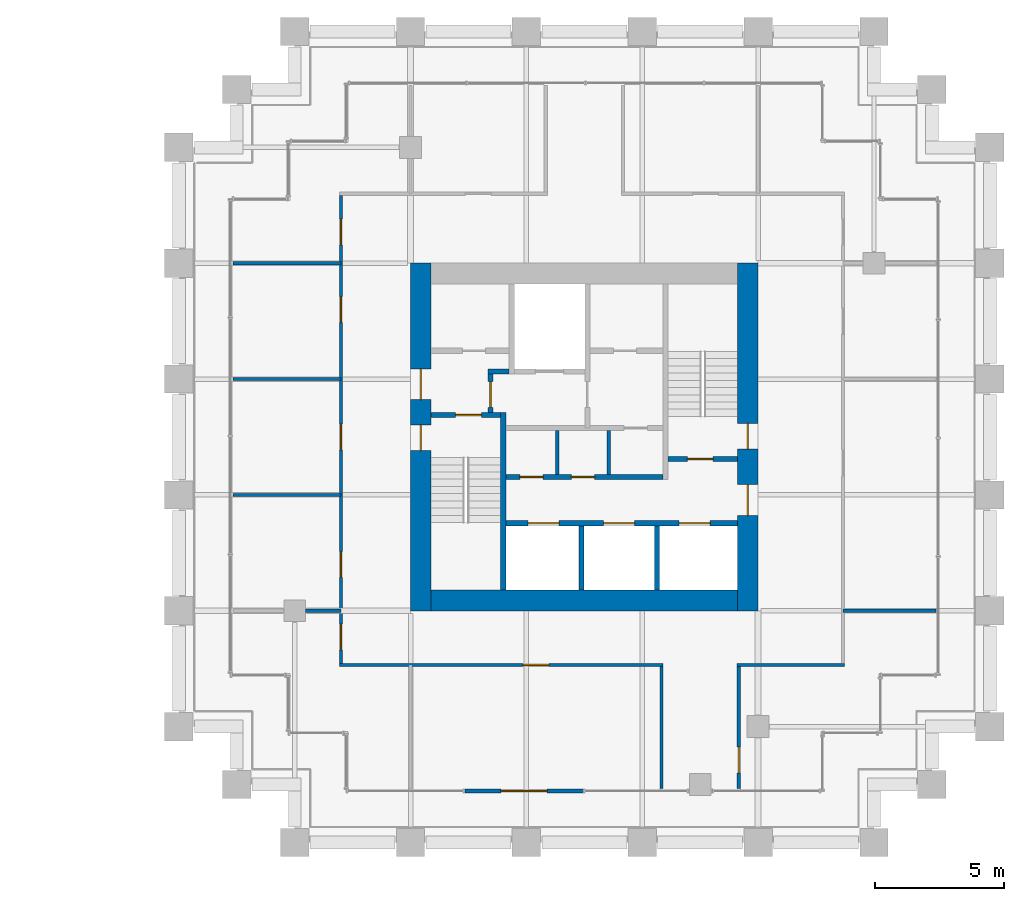
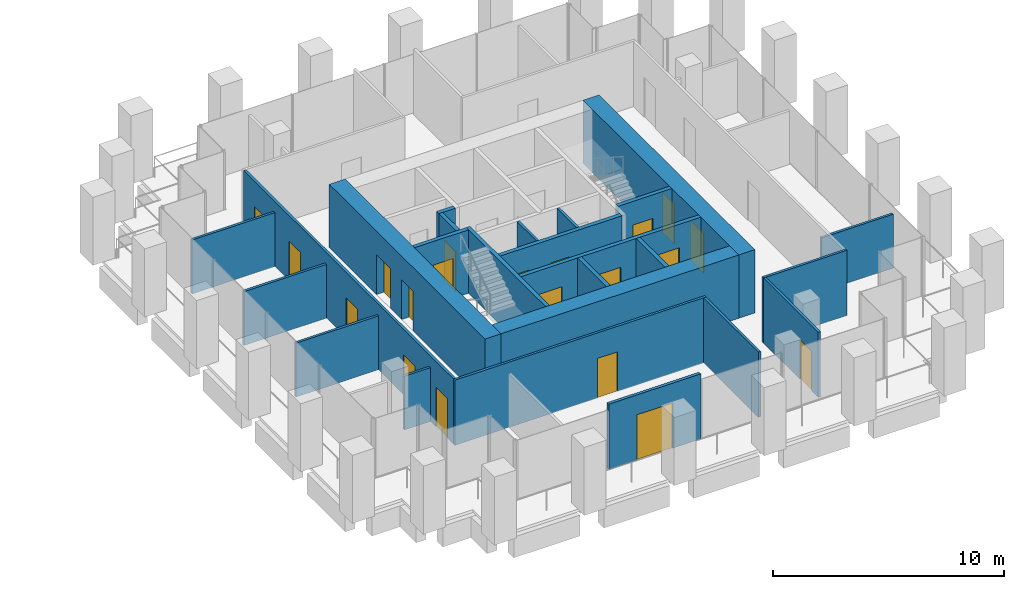
# One storey, part 51 of 55: 25 walls, 20 doors, 20 openings.
"""IFC4 building model written with IfcOpenShell, lengths in metres."""

from ifc_helpers import new_model, si_unit, direction, frame, frame_2d, origin, place, context, subcontext, project, spatial, rectangle, extrude, material, layer, layer_set, type_object, element, fill, save


model = new_model("IFC4")

# Units and contexts
model_context = context("Model", 3, precision=1e-05, world=origin(), true_north=direction((0.0, 1.0)))
body_context = subcontext(model_context, "Body", "Model", "MODEL_VIEW")
ifc_project = project(units=[si_unit("LENGTHUNIT", "METRE"), si_unit("AREAUNIT", "SQUARE_METRE"), si_unit("VOLUMEUNIT", "CUBIC_METRE"), si_unit("PLANEANGLEUNIT", "RADIAN"), si_unit("MASSUNIT", "GRAM", prefix="KILO")], contexts=[model_context])

# Site, building, storey
site_placement = place(None, origin())
site = spatial("IfcSite", under=ifc_project, at=site_placement, CompositionType="ELEMENT")
building_placement = place(site_placement, origin())
building = spatial("IfcBuilding", under=site, at=building_placement, Name="Altepetl Exchange Towers", CompositionType="ELEMENT")
storey_placement = place(building_placement, frame((0.0, 0.0, 47.39990234375)))
storey = spatial("IfcBuildingStorey", under=building, at=storey_placement, Name="L10", CompositionType="ELEMENT", Elevation=47.39990234375)

# Wall, openings, doors
ifc_material_1 = material(Name="Concrete C70/85", Category="concrete")
ifc_layer_1 = layer(ifc_material_1, 0.800048828125)
ifc_layer_set_1 = layer_set([ifc_layer_1], Name="Concrete C70/85")
wall_type_1 = type_object("IfcWallType", Name="Core wall 800 reinforced concrete", PredefinedType="SHEAR", material=ifc_layer_set_1)
wall_1_placement = place(storey_placement, frame((116.60009765625, 36.0, 0.0), z_axis=(0.0, 0.0, 1.0), x_axis=(0.0, 1.0, 0.0)))
wall_1 = element("IfcWall", 1, at=wall_1_placement, inside=storey, type_object=wall_type_1, Name="wall:B:L10:K-coreE", PredefinedType="SHEAR", context=body_context, shape_type="SweptSolid", body=[
    extrude(rectangle(XDim=13.5, YDim=0.800048828125, at=frame_2d((6.75, 0.0))), origin(), (0.0, 0.0, 1.0), 3.35009765625),
])
opening_1_placement = place(wall_1_placement, frame((3.699951171875, 0.0, 0.0)))
opening_1 = element("IfcOpeningElement", 2, at=opening_1_placement, cuts=wall_1, Name="Opening L10.B61", PredefinedType="OPENING", context=body_context, shape_type="SweptSolid", body=[
    extrude(rectangle(XDim=1.199951171875, YDim=2.10009765625, at=frame_2d((0.60009765625, 1.050048828125))), frame((0.0, 0.41015625, 0.0), z_axis=(0.0, -1.0, 0.0), x_axis=(1.0, 0.0, 0.0)), (0.0, 0.0, 1.0), 0.820068359375),
])
opening_2_placement = place(wall_1_placement, frame((6.27490234375, 0.0, 0.0)))
opening_2 = element("IfcOpeningElement", 3, at=opening_2_placement, cuts=wall_1, Name="Opening L10.B65", PredefinedType="OPENING", context=body_context, shape_type="SweptSolid", body=[
    extrude(rectangle(XDim=1.0, YDim=2.10009765625, at=frame_2d((0.5, 1.050048828125))), frame((0.0, 0.41015625, 0.0), z_axis=(0.0, -1.0, 0.0), x_axis=(1.0, 0.0, 0.0)), (0.0, 0.0, 1.0), 0.820068359375),
])
ifc_material_2 = material(Name="Steel and timber fire door", Category="steel")
door_type_1 = type_object("IfcDoorType", Name="Fire door 1000 x 2100 stair and lobby", OperationType="SINGLE_SWING_LEFT", PredefinedType="DOOR", material=ifc_material_2)
door_1_placement = place(opening_2_placement, origin())
door_1 = element("IfcDoor", 4, at=door_1_placement, inside=storey, type_object=door_type_1, Name="door:B:L10:K-dS2x", OperationType="SINGLE_SWING_LEFT", OverallHeight=2.10009765625, OverallWidth=1.0, PredefinedType="DOOR", context=body_context, shape_type="SweptSolid", body=[
    extrude(rectangle(XDim=1.0, YDim=2.10009765625, at=frame_2d((0.5, 1.050048828125))), frame((0.0, 0.02490234375, 0.0), z_axis=(0.0, -1.0, 0.0), x_axis=(1.0, 0.0, 0.0)), (0.0, 0.0, 1.0), 0.050048828125),
])
fill(opening_2, door_1)
door_type_2 = type_object("IfcDoorType", Name="Fire door 1200 x 2100 lobby entry", OperationType="SINGLE_SWING_LEFT", PredefinedType="DOOR", material=ifc_material_2)
door_2_placement = place(opening_1_placement, origin())
door_2 = element("IfcDoor", 5, at=door_2_placement, inside=storey, type_object=door_type_2, Name="door:B:L10:K-dLSE", OperationType="SINGLE_SWING_RIGHT", OverallHeight=2.10009765625, OverallWidth=1.199951171875, PredefinedType="DOOR", context=body_context, shape_type="SweptSolid", body=[
    extrude(rectangle(XDim=1.199951171875, YDim=2.10009765625, at=frame_2d((0.60009765625, 1.050048828125))), frame((0.0, 0.02490234375, 0.0), z_axis=(0.0, -1.0, 0.0), x_axis=(1.0, 0.0, 0.0)), (0.0, 0.0, 1.0), 0.050048828125),
])
fill(opening_1, door_2)

# Wall
wall_2_placement = place(storey_placement, frame((104.300048828125, 36.39990234375, 0.0)))
element("IfcWall", 6, at=wall_2_placement, inside=storey, type_object=wall_type_1, Name="wall:B:L10:K-coreS", PredefinedType="SHEAR", context=body_context, shape_type="SweptSolid", body=[
    extrude(rectangle(XDim=11.89990234375, YDim=0.800048828125, at=frame_2d((5.949951171875, 0.0))), origin(), (0.0, 0.0, 1.0), 3.35009765625),
])

# Wall, openings, doors
wall_3_placement = place(storey_placement, frame((103.89990234375, 36.0, 0.0), z_axis=(0.0, 0.0, 1.0), x_axis=(0.0, 1.0, 0.0)))
wall_3 = element("IfcWall", 7, at=wall_3_placement, inside=storey, type_object=wall_type_1, Name="wall:B:L10:K-coreW", PredefinedType="SHEAR", context=body_context, shape_type="SweptSolid", body=[
    extrude(rectangle(XDim=13.5, YDim=0.800048828125, at=frame_2d((6.75, 0.0))), origin(), (0.0, 0.0, 1.0), 3.35009765625),
])
opening_3_placement = place(wall_3_placement, frame((8.199951171875, 0.0, 0.0)))
opening_3 = element("IfcOpeningElement", 8, at=opening_3_placement, cuts=wall_3, Name="Opening L10.B60", PredefinedType="OPENING", context=body_context, shape_type="SweptSolid", body=[
    extrude(rectangle(XDim=1.199951171875, YDim=2.10009765625, at=frame_2d((0.60009765625, 1.050048828125))), frame((0.0, 0.41015625, 0.0), z_axis=(0.0, -1.0, 0.0), x_axis=(1.0, 0.0, 0.0)), (0.0, 0.0, 1.0), 0.820068359375),
])
opening_4_placement = place(wall_3_placement, frame((6.22509765625, 0.0, 0.0)))
opening_4 = element("IfcOpeningElement", 9, at=opening_4_placement, cuts=wall_3, Name="Opening L10.B63", PredefinedType="OPENING", context=body_context, shape_type="SweptSolid", body=[
    extrude(rectangle(XDim=1.0, YDim=2.10009765625, at=frame_2d((0.5, 1.050048828125))), frame((0.0, 0.41015625, 0.0), z_axis=(0.0, -1.0, 0.0), x_axis=(1.0, 0.0, 0.0)), (0.0, 0.0, 1.0), 0.820068359375),
])
door_3_placement = place(opening_4_placement, frame((1.0, 0.0, 0.0), x_axis=(-1.0, 0.0, 0.0)))
door_3 = element("IfcDoor", 10, at=door_3_placement, inside=storey, type_object=door_type_1, Name="door:B:L10:K-dS1x", OperationType="SINGLE_SWING_RIGHT", OverallHeight=2.10009765625, OverallWidth=1.0, PredefinedType="DOOR", context=body_context, shape_type="SweptSolid", body=[
    extrude(rectangle(XDim=1.0, YDim=2.10009765625, at=frame_2d((0.5, 1.050048828125))), frame((0.0, 0.02490234375, 0.0), z_axis=(0.0, -1.0, 0.0), x_axis=(1.0, 0.0, 0.0)), (0.0, 0.0, 1.0), 0.050048828125),
])
fill(opening_4, door_3)
door_4_placement = place(opening_3_placement, frame((1.199951171875, 0.0, 0.0), x_axis=(-1.0, 0.0, 0.0)))
door_4 = element("IfcDoor", 11, at=door_4_placement, inside=storey, type_object=door_type_2, Name="door:B:L10:K-dLNW", OperationType="SINGLE_SWING_RIGHT", OverallHeight=2.10009765625, OverallWidth=1.199951171875, PredefinedType="DOOR", context=body_context, shape_type="SweptSolid", body=[
    extrude(rectangle(XDim=1.199951171875, YDim=2.10009765625, at=frame_2d((0.60009765625, 1.050048828125))), frame((0.0, 0.02490234375, 0.0), z_axis=(0.0, -1.0, 0.0), x_axis=(1.0, 0.0, 0.0)), (0.0, 0.0, 1.0), 0.050048828125),
])
fill(opening_3, door_4)

# Wall, opening, door
ifc_material_3 = material(Name="Aluminium composite cladding", Category="aluminium")
ifc_layer_2 = layer(ifc_material_3, 0.14990234375)
ifc_layer_set_2 = layer_set([ifc_layer_2], Name="Aluminium composite cladding")
wall_type_2 = type_object("IfcWallType", Name="Infill wall 150 aluminium panel", PredefinedType="SOLIDWALL", material=ifc_layer_set_2)
wall_4_placement = place(storey_placement, frame((105.606201171875, 29.0, 0.0)))
wall_4 = element("IfcWall", 12, at=wall_4_placement, inside=storey, type_object=wall_type_2, Name="Loggia door bay wall", PredefinedType="SOLIDWALL", context=body_context, shape_type="SweptSolid", body=[
    extrude(rectangle(XDim=4.606201171875, YDim=0.14990234375, at=frame_2d((2.30322265625, 0.0))), origin(), (0.0, 0.0, 1.0), 3.4501953125),
])
opening_5_placement = place(wall_4_placement, frame((1.403076171875, 0.0, 0.0)))
opening_5 = element("IfcOpeningElement", 13, at=opening_5_placement, cuts=wall_4, Name="Opening L10.B90", PredefinedType="OPENING", context=body_context, shape_type="SweptSolid", body=[
    extrude(rectangle(XDim=1.800048828125, YDim=2.39990234375, at=frame_2d((0.89990234375, 1.199951171875))), frame((0.0, 0.0849609375, 0.0), z_axis=(0.0, -1.0, 0.0), x_axis=(1.0, 0.0, 0.0)), (0.0, 0.0, 1.0), 0.169921875),
])
ifc_material_4 = material(Name="Aluminium 6063-T6 and glass", Category="aluminium")
door_type_3 = type_object("IfcDoorType", Name="Glazed door pair 1800x2400", OperationType="DOUBLE_DOOR_DOUBLE_SWING", PredefinedType="NOTDEFINED", material=ifc_material_4)
door_5_placement = place(opening_5_placement, frame((1.800048828125, 0.0, 0.0), x_axis=(-1.0, 0.0, 0.0)))
door_5 = element("IfcDoor", 14, at=door_5_placement, inside=storey, type_object=door_type_3, Name="Loggia door", OperationType="DOUBLE_DOOR_DOUBLE_SWING", OverallHeight=2.39990234375, OverallWidth=1.800048828125, PredefinedType="NOTDEFINED", context=body_context, shape_type="SweptSolid", body=[
    extrude(rectangle(XDim=1.800048828125, YDim=2.39990234375, at=frame_2d((0.89990234375, 1.199951171875))), frame((0.0, 0.02490234375, 0.0), z_axis=(0.0, -1.0, 0.0), x_axis=(1.0, 0.0, 0.0)), (0.0, 0.0, 1.0), 0.050048828125),
])
fill(opening_5, door_5)

# Wall
ifc_material_5 = material(Name="Concrete blockwork", Category="masonry")
ifc_layer_3 = layer(ifc_material_5, 0.199951171875)
ifc_layer_set_3 = layer_set([ifc_layer_3], Name="Concrete blockwork")
wall_type_3 = type_object("IfcWallType", Name="Lobby wall 200 blockwork", PredefinedType="PARTITIONING", material=ifc_layer_set_3)
wall_5_placement = place(storey_placement, frame((106.5, 45.300048828125, 0.0)))
element("IfcWall", 15, at=wall_5_placement, inside=storey, type_object=wall_type_3, Name="wall:B:L10:K-ffNw", PredefinedType="PARTITIONING", context=body_context, shape_type="SweptSolid", body=[
    extrude(rectangle(XDim=0.833251953125, YDim=0.199951171875, at=frame_2d((0.41650390625, 0.0))), origin(), (0.0, 0.0, 1.0), 3.35009765625),
])

# Wall, opening, door
wall_6_placement = place(storey_placement, frame((106.60009765625, 43.699951171875, 0.0), z_axis=(0.0, 0.0, 1.0), x_axis=(0.0, 1.0, 0.0)))
wall_6 = element("IfcWall", 16, at=wall_6_placement, inside=storey, type_object=wall_type_3, Name="wall:B:L10:K-ffW", PredefinedType="PARTITIONING", context=body_context, shape_type="SweptSolid", body=[
    extrude(rectangle(XDim=1.5, YDim=0.199951171875, at=frame_2d((0.75, 0.0))), origin(), (0.0, 0.0, 1.0), 3.35009765625),
])
opening_6_placement = place(wall_6_placement, frame((0.199951171875, 0.0, 0.0)))
opening_6 = element("IfcOpeningElement", 17, at=opening_6_placement, cuts=wall_6, Name="Opening L10.B67", PredefinedType="OPENING", context=body_context, shape_type="SweptSolid", body=[
    extrude(rectangle(XDim=1.0, YDim=2.10009765625, at=frame_2d((0.5, 1.050048828125))), frame((0.0, 0.10986328125, 0.0), z_axis=(0.0, -1.0, 0.0), x_axis=(1.0, 0.0, 0.0)), (0.0, 0.0, 1.0), 0.219970703125),
])
door_6_placement = place(opening_6_placement, frame((1.0, 0.0, 0.0), x_axis=(-1.0, 0.0, 0.0)))
door_6 = element("IfcDoor", 18, at=door_6_placement, inside=storey, type_object=door_type_1, Name="door:B:L10:K-dffW", OperationType="SINGLE_SWING_LEFT", OverallHeight=2.10009765625, OverallWidth=1.0, PredefinedType="DOOR", context=body_context, shape_type="SweptSolid", body=[
    extrude(rectangle(XDim=1.0, YDim=2.10009765625, at=frame_2d((0.5, 1.050048828125))), frame((0.0, 0.02490234375, 0.0), z_axis=(0.0, -1.0, 0.0), x_axis=(1.0, 0.0, 0.0)), (0.0, 0.0, 1.0), 0.050048828125),
])
fill(opening_6, door_6)

# Wall, openings, doors
wall_7_placement = place(storey_placement, frame((107.199951171875, 41.199951171875, 0.0)))
wall_7 = element("IfcWall", 19, at=wall_7_placement, inside=storey, type_object=wall_type_3, Name="wall:B:L10:K-zoneS", PredefinedType="PARTITIONING", context=body_context, shape_type="SweptSolid", body=[
    extrude(rectangle(XDim=6.10009765625, YDim=0.199951171875, at=frame_2d((3.050048828125, 0.0))), origin(), (0.0, 0.0, 1.0), 3.35009765625),
])
opening_7_placement = place(wall_7_placement, frame((0.550048828125, 0.0, 0.0)))
opening_7 = element("IfcOpeningElement", 20, at=opening_7_placement, cuts=wall_7, Name="Opening L10.B70", PredefinedType="OPENING", context=body_context, shape_type="SweptSolid", body=[
    extrude(rectangle(XDim=0.89990234375, YDim=2.10009765625, at=frame_2d((0.449951171875, 1.050048828125))), frame((0.0, 0.10986328125, 0.0), z_axis=(0.0, -1.0, 0.0), x_axis=(1.0, 0.0, 0.0)), (0.0, 0.0, 1.0), 0.219970703125),
])
opening_8_placement = place(wall_7_placement, frame((2.550048828125, 0.0, 0.0)))
opening_8 = element("IfcOpeningElement", 21, at=opening_8_placement, cuts=wall_7, Name="Opening L10.B71", PredefinedType="OPENING", context=body_context, shape_type="SweptSolid", body=[
    extrude(rectangle(XDim=0.89990234375, YDim=2.10009765625, at=frame_2d((0.449951171875, 1.050048828125))), frame((0.0, 0.10986328125, 0.0), z_axis=(0.0, -1.0, 0.0), x_axis=(1.0, 0.0, 0.0)), (0.0, 0.0, 1.0), 0.219970703125),
])
door_type_4 = type_object("IfcDoorType", Name="Fire door 900 x 2100 service room", OperationType="SINGLE_SWING_LEFT", PredefinedType="DOOR", material=ifc_material_2)
door_7_placement = place(opening_7_placement, origin())
door_7 = element("IfcDoor", 22, at=door_7_placement, inside=storey, type_object=door_type_4, Name="door:B:L10:K-dz1", OperationType="SINGLE_SWING_RIGHT", OverallHeight=2.10009765625, OverallWidth=0.89990234375, PredefinedType="DOOR", context=body_context, shape_type="SweptSolid", body=[
    extrude(rectangle(XDim=0.89990234375, YDim=2.10009765625, at=frame_2d((0.449951171875, 1.050048828125))), frame((0.0, 0.02490234375, 0.0), z_axis=(0.0, -1.0, 0.0), x_axis=(1.0, 0.0, 0.0)), (0.0, 0.0, 1.0), 0.050048828125),
])
fill(opening_7, door_7)
door_8_placement = place(opening_8_placement, origin())
door_8 = element("IfcDoor", 23, at=door_8_placement, inside=storey, type_object=door_type_4, Name="door:B:L10:K-dz2", OperationType="SINGLE_SWING_LEFT", OverallHeight=2.10009765625, OverallWidth=0.89990234375, PredefinedType="DOOR", context=body_context, shape_type="SweptSolid", body=[
    extrude(rectangle(XDim=0.89990234375, YDim=2.10009765625, at=frame_2d((0.449951171875, 1.050048828125))), frame((0.0, 0.02490234375, 0.0), z_axis=(0.0, -1.0, 0.0), x_axis=(1.0, 0.0, 0.0)), (0.0, 0.0, 1.0), 0.050048828125),
])
fill(opening_8, door_8)

# Walls
ifc_material_6 = material(Name="Timber panels on aluminium track", Category="wood")
ifc_layer_4 = layer(ifc_material_6, 0.125)
ifc_layer_set_4 = layer_set([ifc_layer_4], Name="Timber panels on aluminium track")
wall_type_4 = type_object("IfcWallType", Name="Operable acoustic partition 125", PredefinedType="MOVABLE", material=ifc_layer_set_4)
for number, where, name in (
    (24, (96.60009765625, 40.5, 0.0), "wall:B:L10:P06"),
    (25, (96.60009765625, 45.0, 0.0), "wall:B:L10:P07"),
):
    element("IfcWall", number, at=place(storey_placement, frame(where)), inside=storey, type_object=wall_type_4, Name=name, PredefinedType="MOVABLE", context=body_context, shape_type="SweptSolid", body=[
        extrude(rectangle(XDim=4.199951171875, YDim=0.125, at=frame_2d((2.10009765625, 0.0))), origin(), (0.0, 0.0, 1.0), 2.85107421875),
    ])
ifc_material_7 = material(Name="Gypsum board on steel studs", Category="steel")
ifc_layer_5 = layer(ifc_material_7, 0.125)
ifc_layer_set_5 = layer_set([ifc_layer_5], Name="Gypsum board on steel studs")
wall_type_5 = type_object("IfcWallType", Name="Partition 125 gypsum board on steel studs", PredefinedType="PARTITIONING", material=ifc_layer_set_5)
for number, where, z_axis, x_axis, name in (
    (26, (109.199951171875, 41.300048828125, 0.0), (0.0, 0.0, 1.0), (0.0, 1.0, 0.0), "wall:B:L10:K-zp1"),
    (27, (111.199951171875, 41.300048828125, 0.0), (0.0, 0.0, 1.0), (0.0, 1.0, 0.0), "wall:B:L10:K-zp2"),
):
    element("IfcWall", number, at=place(storey_placement, frame(where, z_axis=z_axis, x_axis=x_axis)), inside=storey, type_object=wall_type_5, Name=name, PredefinedType="PARTITIONING", context=body_context, shape_type="SweptSolid", body=[
        extrude(rectangle(XDim=1.699951171875, YDim=0.125, at=frame_2d((0.85009765625, 0.0))), origin(), (0.0, 0.0, 1.0), 3.35009765625),
    ])

# Wall, opening, door
wall_8_placement = place(storey_placement, frame((100.737548828125, 33.89990234375, 0.0)))
wall_8 = element("IfcWall", 28, at=wall_8_placement, inside=storey, type_object=wall_type_5, Name="wall:B:L10:P01", PredefinedType="PARTITIONING", context=body_context, shape_type="SweptSolid", body=[
    extrude(rectangle(XDim=12.574951171875, YDim=0.125, at=frame_2d((6.28759765625, 0.0))), origin(), (0.0, 0.0, 1.0), 3.4501953125),
])
opening_9_placement = place(wall_8_placement, frame((7.137451171875, 0.0, 0.0)))
opening_9 = element("IfcOpeningElement", 29, at=opening_9_placement, cuts=wall_8, Name="Opening L10.B04", PredefinedType="OPENING", context=body_context, shape_type="SweptSolid", body=[
    extrude(rectangle(XDim=1.0, YDim=2.10009765625, at=frame_2d((0.5, 1.050048828125))), frame((0.0, 0.072509765625, 0.0), z_axis=(0.0, -1.0, 0.0), x_axis=(1.0, 0.0, 0.0)), (0.0, 0.0, 1.0), 0.14501953125),
])
door_type_5 = type_object("IfcDoorType", Name="Fire door 1000 x 2100 single leaf", OperationType="SINGLE_SWING_LEFT", PredefinedType="DOOR", material=ifc_material_2)
door_9_placement = place(opening_9_placement, frame((1.0, 0.0, 0.0), x_axis=(-1.0, 0.0, 0.0)))
door_9 = element("IfcDoor", 30, at=door_9_placement, inside=storey, type_object=door_type_5, Name="door:B:L10:04", OperationType="SINGLE_SWING_LEFT", OverallHeight=2.10009765625, OverallWidth=1.0, PredefinedType="DOOR", context=body_context, shape_type="SweptSolid", body=[
    extrude(rectangle(XDim=1.0, YDim=2.10009765625, at=frame_2d((0.5, 1.050048828125))), frame((0.0, 0.02490234375, 0.0), z_axis=(0.0, -1.0, 0.0), x_axis=(1.0, 0.0, 0.0)), (0.0, 0.0, 1.0), 0.050048828125),
])
fill(opening_9, door_9)

# Walls
wall_9_placement = place(storey_placement, frame((116.1875, 33.89990234375, 0.0)))
element("IfcWall", 31, at=wall_9_placement, inside=storey, type_object=wall_type_5, Name="wall:B:L10:P02", PredefinedType="PARTITIONING", context=body_context, shape_type="SweptSolid", body=[
    extrude(rectangle(XDim=4.175048828125, YDim=0.125, at=frame_2d((2.08740234375, 0.0))), origin(), (0.0, 0.0, 1.0), 3.4501953125),
])
wall_10_placement = place(storey_placement, frame((99.425048828125, 36.0, 0.0)))
element("IfcWall", 32, at=wall_10_placement, inside=storey, type_object=wall_type_5, Name="wall:B:L10:P04", PredefinedType="PARTITIONING", context=body_context, shape_type="SweptSolid", body=[
    extrude(rectangle(XDim=1.375, YDim=0.125, at=frame_2d((0.6875, 0.0))), origin(), (0.0, 0.0, 1.0), 2.842041015625),
])
wall_11_placement = place(storey_placement, frame((120.300048828125, 36.0, 0.0)))
element("IfcWall", 33, at=wall_11_placement, inside=storey, type_object=wall_type_5, Name="wall:B:L10:P05", PredefinedType="PARTITIONING", context=body_context, shape_type="SweptSolid", body=[
    extrude(rectangle(XDim=3.599853515625, YDim=0.125, at=frame_2d((1.7998046875, 0.0))), origin(), (0.0, 0.0, 1.0), 2.85107421875),
])
wall_12_placement = place(storey_placement, frame((96.60009765625, 49.5, 0.0)))
element("IfcWall", 34, at=wall_12_placement, inside=storey, type_object=wall_type_5, Name="wall:B:L10:P09", PredefinedType="PARTITIONING", context=body_context, shape_type="SweptSolid", body=[
    extrude(rectangle(XDim=4.199951171875, YDim=0.125, at=frame_2d((2.10009765625, 0.0))), origin(), (0.0, 0.0, 1.0), 2.85107421875),
])

# Wall, openings, doors
wall_13_placement = place(storey_placement, frame((100.800048828125, 33.96240234375, 0.0), z_axis=(0.0, 0.0, 1.0), x_axis=(0.0, 1.0, 0.0)))
wall_13 = element("IfcWall", 35, at=wall_13_placement, inside=storey, type_object=wall_type_5, Name="wall:B:L10:P14", PredefinedType="PARTITIONING", context=body_context, shape_type="SweptSolid", body=[
    extrude(rectangle(XDim=18.175048828125, YDim=0.125, at=frame_2d((9.08740234375, 0.0))), origin(), (0.0, 0.0, 1.0), 3.4501953125),
])
opening_10_placement = place(wall_13_placement, frame((8.28759765625, 0.0, 0.0)))
opening_10 = element("IfcOpeningElement", 36, at=opening_10_placement, cuts=wall_13, Name="Opening L10.B01", PredefinedType="OPENING", context=body_context, shape_type="SweptSolid", body=[
    extrude(rectangle(XDim=1.0, YDim=2.10009765625, at=frame_2d((0.5, 1.050048828125))), frame((0.0, 0.072509765625, 0.0), z_axis=(0.0, -1.0, 0.0), x_axis=(1.0, 0.0, 0.0)), (0.0, 0.0, 1.0), 0.14501953125),
])
opening_11_placement = place(wall_13_placement, frame((3.33251953125, 0.0, 0.0)))
opening_11 = element("IfcOpeningElement", 37, at=opening_11_placement, cuts=wall_13, Name="Opening L10.B02", PredefinedType="OPENING", context=body_context, shape_type="SweptSolid", body=[
    extrude(rectangle(XDim=1.0, YDim=2.10009765625, at=frame_2d((0.5, 1.050048828125))), frame((0.0, 0.072509765625, 0.0), z_axis=(0.0, -1.0, 0.0), x_axis=(1.0, 0.0, 0.0)), (0.0, 0.0, 1.0), 0.14501953125),
])
opening_12_placement = place(wall_13_placement, frame((0.5224609375, 0.0, 0.0)))
opening_12 = element("IfcOpeningElement", 38, at=opening_12_placement, cuts=wall_13, Name="Opening L10.B03", PredefinedType="OPENING", context=body_context, shape_type="SweptSolid", body=[
    extrude(rectangle(XDim=1.0, YDim=2.10009765625, at=frame_2d((0.5, 1.050048828125))), frame((0.0, 0.072509765625, 0.0), z_axis=(0.0, -1.0, 0.0), x_axis=(1.0, 0.0, 0.0)), (0.0, 0.0, 1.0), 0.14501953125),
])
opening_13_placement = place(wall_13_placement, frame((16.24755859375, 0.0, 0.0)))
opening_13 = element("IfcOpeningElement", 39, at=opening_13_placement, cuts=wall_13, Name="Opening L10.B11", PredefinedType="OPENING", context=body_context, shape_type="SweptSolid", body=[
    extrude(rectangle(XDim=1.0, YDim=2.10009765625, at=frame_2d((0.5, 1.050048828125))), frame((0.0, 0.072509765625, 0.0), z_axis=(0.0, -1.0, 0.0), x_axis=(1.0, 0.0, 0.0)), (0.0, 0.0, 1.0), 0.14501953125),
])
opening_14_placement = place(wall_13_placement, frame((13.242431640625, 0.0, 0.0)))
opening_14 = element("IfcOpeningElement", 40, at=opening_14_placement, cuts=wall_13, Name="Opening L10.B12", PredefinedType="OPENING", context=body_context, shape_type="SweptSolid", body=[
    extrude(rectangle(XDim=1.0, YDim=2.10009765625, at=frame_2d((0.5, 1.050048828125))), frame((0.0, 0.072509765625, 0.0), z_axis=(0.0, -1.0, 0.0), x_axis=(1.0, 0.0, 0.0)), (0.0, 0.0, 1.0), 0.14501953125),
])
door_10_placement = place(opening_10_placement, origin())
door_10 = element("IfcDoor", 41, at=door_10_placement, inside=storey, type_object=door_type_5, Name="door:B:L10:01", OperationType="SINGLE_SWING_RIGHT", OverallHeight=2.10009765625, OverallWidth=1.0, PredefinedType="DOOR", context=body_context, shape_type="SweptSolid", body=[
    extrude(rectangle(XDim=1.0, YDim=2.10009765625, at=frame_2d((0.5, 1.050048828125))), frame((0.0, 0.02490234375, 0.0), z_axis=(0.0, -1.0, 0.0), x_axis=(1.0, 0.0, 0.0)), (0.0, 0.0, 1.0), 0.050048828125),
])
fill(opening_10, door_10)
door_11_placement = place(opening_11_placement, origin())
door_11 = element("IfcDoor", 42, at=door_11_placement, inside=storey, type_object=door_type_5, Name="door:B:L10:02", OperationType="SINGLE_SWING_LEFT", OverallHeight=2.10009765625, OverallWidth=1.0, PredefinedType="DOOR", context=body_context, shape_type="SweptSolid", body=[
    extrude(rectangle(XDim=1.0, YDim=2.10009765625, at=frame_2d((0.5, 1.050048828125))), frame((0.0, 0.02490234375, 0.0), z_axis=(0.0, -1.0, 0.0), x_axis=(1.0, 0.0, 0.0)), (0.0, 0.0, 1.0), 0.050048828125),
])
fill(opening_11, door_11)
door_12_placement = place(opening_12_placement, frame((1.0, 0.0, 0.0), x_axis=(-1.0, 0.0, 0.0)))
door_12 = element("IfcDoor", 43, at=door_12_placement, inside=storey, type_object=door_type_5, Name="door:B:L10:03", OperationType="SINGLE_SWING_RIGHT", OverallHeight=2.10009765625, OverallWidth=1.0, PredefinedType="DOOR", context=body_context, shape_type="SweptSolid", body=[
    extrude(rectangle(XDim=1.0, YDim=2.10009765625, at=frame_2d((0.5, 1.050048828125))), frame((0.0, 0.02490234375, 0.0), z_axis=(0.0, -1.0, 0.0), x_axis=(1.0, 0.0, 0.0)), (0.0, 0.0, 1.0), 0.050048828125),
])
fill(opening_12, door_12)
door_13_placement = place(opening_13_placement, frame((1.0, 0.0, 0.0), x_axis=(-1.0, 0.0, 0.0)))
door_13 = element("IfcDoor", 44, at=door_13_placement, inside=storey, type_object=door_type_5, Name="door:B:L10:11", OperationType="SINGLE_SWING_LEFT", OverallHeight=2.10009765625, OverallWidth=1.0, PredefinedType="DOOR", context=body_context, shape_type="SweptSolid", body=[
    extrude(rectangle(XDim=1.0, YDim=2.10009765625, at=frame_2d((0.5, 1.050048828125))), frame((0.0, 0.02490234375, 0.0), z_axis=(0.0, -1.0, 0.0), x_axis=(1.0, 0.0, 0.0)), (0.0, 0.0, 1.0), 0.050048828125),
])
fill(opening_13, door_13)
door_14_placement = place(opening_14_placement, origin())
door_14 = element("IfcDoor", 45, at=door_14_placement, inside=storey, type_object=door_type_5, Name="door:B:L10:12", OperationType="SINGLE_SWING_LEFT", OverallHeight=2.10009765625, OverallWidth=1.0, PredefinedType="DOOR", context=body_context, shape_type="SweptSolid", body=[
    extrude(rectangle(XDim=1.0, YDim=2.10009765625, at=frame_2d((0.5, 1.050048828125))), frame((0.0, 0.02490234375, 0.0), z_axis=(0.0, -1.0, 0.0), x_axis=(1.0, 0.0, 0.0)), (0.0, 0.0, 1.0), 0.050048828125),
])
fill(opening_14, door_14)

# Wall
wall_14_placement = place(storey_placement, frame((113.25, 29.10009765625, 0.0), z_axis=(0.0, 0.0, 1.0), x_axis=(0.0, 1.0, 0.0)))
element("IfcWall", 46, at=wall_14_placement, inside=storey, type_object=wall_type_5, Name="wall:B:L10:P20", PredefinedType="PARTITIONING", context=body_context, shape_type="SweptSolid", body=[
    extrude(rectangle(XDim=4.7373046875, YDim=0.125, at=frame_2d((2.36865234375, 0.0))), origin(), (0.0, 0.0, 1.0), 3.4501953125),
])

# Wall, opening, door
wall_15_placement = place(storey_placement, frame((116.25, 29.10009765625, 0.0), z_axis=(0.0, 0.0, 1.0), x_axis=(0.0, 1.0, 0.0)))
wall_15 = element("IfcWall", 47, at=wall_15_placement, inside=storey, type_object=wall_type_5, Name="wall:B:L10:P21", PredefinedType="PARTITIONING", context=body_context, shape_type="SweptSolid", body=[
    extrude(rectangle(XDim=4.7373046875, YDim=0.125, at=frame_2d((2.36865234375, 0.0))), origin(), (0.0, 0.0, 1.0), 3.4501953125),
])
opening_15_placement = place(wall_15_placement, frame((0.60009765625, 0.0, 0.0)))
opening_15 = element("IfcOpeningElement", 48, at=opening_15_placement, cuts=wall_15, Name="Opening L10.B05", PredefinedType="OPENING", context=body_context, shape_type="SweptSolid", body=[
    extrude(rectangle(XDim=1.0, YDim=2.10009765625, at=frame_2d((0.5, 1.050048828125))), frame((0.0, 0.072509765625, 0.0), z_axis=(0.0, -1.0, 0.0), x_axis=(1.0, 0.0, 0.0)), (0.0, 0.0, 1.0), 0.14501953125),
])
door_15_placement = place(opening_15_placement, frame((1.0, 0.0, 0.0), x_axis=(-1.0, 0.0, 0.0)))
door_15 = element("IfcDoor", 49, at=door_15_placement, inside=storey, type_object=door_type_5, Name="door:B:L10:05", OperationType="SINGLE_SWING_LEFT", OverallHeight=2.10009765625, OverallWidth=1.0, PredefinedType="DOOR", context=body_context, shape_type="SweptSolid", body=[
    extrude(rectangle(XDim=1.0, YDim=2.10009765625, at=frame_2d((0.5, 1.050048828125))), frame((0.0, 0.02490234375, 0.0), z_axis=(0.0, -1.0, 0.0), x_axis=(1.0, 0.0, 0.0)), (0.0, 0.0, 1.0), 0.050048828125),
])
fill(opening_15, door_15)

# Walls
ifc_material_8 = material(Name="Concrete C40/50", Category="concrete")
ifc_layer_6 = layer(ifc_material_8, 0.199951171875)
ifc_layer_set_6 = layer_set([ifc_layer_6], Name="Concrete C40/50")
wall_type_6 = type_object("IfcWallType", Name="Shaft wall 200 reinforced concrete", PredefinedType="SHEAR", material=ifc_layer_set_6)
for number, where, z_axis, x_axis, name in (
    (50, (110.13330078125, 36.800048828125, 0.0), (0.0, 0.0, 1.0), (0.0, 1.0, 0.0), "wall:B:L10:K-divS1"),
    (51, (113.066650390625, 36.800048828125, 0.0), (0.0, 0.0, 1.0), (0.0, 1.0, 0.0), "wall:B:L10:K-divS2"),
):
    element("IfcWall", number, at=place(storey_placement, frame(where, z_axis=z_axis, x_axis=x_axis)), inside=storey, type_object=wall_type_6, Name=name, PredefinedType="SHEAR", context=body_context, shape_type="SweptSolid", body=[
        extrude(rectangle(XDim=2.5, YDim=0.199951171875, at=frame_2d((1.25, 0.0))), origin(), (0.0, 0.0, 1.0), 3.35009765625),
    ])

# Wall, openings, doors
wall_16_placement = place(storey_placement, frame((107.199951171875, 39.39990234375, 0.0)))
wall_16 = element("IfcWall", 52, at=wall_16_placement, inside=storey, type_object=wall_type_6, Name="wall:B:L10:K-frontS", PredefinedType="SHEAR", context=body_context, shape_type="SweptSolid", body=[
    extrude(rectangle(XDim=9.0, YDim=0.199951171875, at=frame_2d((4.5, 0.0))), origin(), (0.0, 0.0, 1.0), 3.35009765625),
])
opening_16_placement = place(wall_16_placement, frame((0.86669921875, 0.0, 0.0)))
opening_16 = element("IfcOpeningElement", 53, at=opening_16_placement, cuts=wall_16, Name="Opening L10.B74", PredefinedType="OPENING", context=body_context, shape_type="SweptSolid", body=[
    extrude(rectangle(XDim=1.199951171875, YDim=2.10009765625, at=frame_2d((0.60009765625, 1.050048828125))), frame((0.0, 0.10986328125, 0.0), z_axis=(0.0, -1.0, 0.0), x_axis=(1.0, 0.0, 0.0)), (0.0, 0.0, 1.0), 0.219970703125),
])
opening_17_placement = place(wall_16_placement, frame((3.800048828125, 0.0, 0.0)))
opening_17 = element("IfcOpeningElement", 54, at=opening_17_placement, cuts=wall_16, Name="Opening L10.B75", PredefinedType="OPENING", context=body_context, shape_type="SweptSolid", body=[
    extrude(rectangle(XDim=1.199951171875, YDim=2.10009765625, at=frame_2d((0.60009765625, 1.050048828125))), frame((0.0, 0.10986328125, 0.0), z_axis=(0.0, -1.0, 0.0), x_axis=(1.0, 0.0, 0.0)), (0.0, 0.0, 1.0), 0.219970703125),
])
opening_18_placement = place(wall_16_placement, frame((6.7333984375, 0.0, 0.0)))
opening_18 = element("IfcOpeningElement", 55, at=opening_18_placement, cuts=wall_16, Name="Opening L10.B76", PredefinedType="OPENING", context=body_context, shape_type="SweptSolid", body=[
    extrude(rectangle(XDim=1.199951171875, YDim=2.10009765625, at=frame_2d((0.60009765625, 1.050048828125))), frame((0.0, 0.10986328125, 0.0), z_axis=(0.0, -1.0, 0.0), x_axis=(1.0, 0.0, 0.0)), (0.0, 0.0, 1.0), 0.219970703125),
])
ifc_material_9 = material(Name="Stainless steel", Category="steel")
door_type_6 = type_object("IfcDoorType", Name="Lift landing door 1200 x 2100", OperationType="SLIDING_TO_LEFT", PredefinedType="DOOR", material=ifc_material_9)
door_16_placement = place(opening_16_placement, origin())
door_16 = element("IfcDoor", 56, at=door_16_placement, inside=storey, type_object=door_type_6, Name="Landing door P1", OperationType="SLIDING_TO_LEFT", OverallHeight=2.10009765625, OverallWidth=1.199951171875, PredefinedType="DOOR", context=body_context, shape_type="SweptSolid", body=[
    extrude(rectangle(XDim=1.199951171875, YDim=2.10009765625, at=frame_2d((0.60009765625, 1.050048828125))), frame((0.0, 0.02490234375, 0.0), z_axis=(0.0, -1.0, 0.0), x_axis=(1.0, 0.0, 0.0)), (0.0, 0.0, 1.0), 0.050048828125),
])
fill(opening_16, door_16)
door_17_placement = place(opening_17_placement, origin())
door_17 = element("IfcDoor", 57, at=door_17_placement, inside=storey, type_object=door_type_6, Name="Landing door P2", OperationType="SLIDING_TO_LEFT", OverallHeight=2.10009765625, OverallWidth=1.199951171875, PredefinedType="DOOR", context=body_context, shape_type="SweptSolid", body=[
    extrude(rectangle(XDim=1.199951171875, YDim=2.10009765625, at=frame_2d((0.60009765625, 1.050048828125))), frame((0.0, 0.02490234375, 0.0), z_axis=(0.0, -1.0, 0.0), x_axis=(1.0, 0.0, 0.0)), (0.0, 0.0, 1.0), 0.050048828125),
])
fill(opening_17, door_17)
door_18_placement = place(opening_18_placement, origin())
door_18 = element("IfcDoor", 58, at=door_18_placement, inside=storey, type_object=door_type_6, Name="Landing door P3", OperationType="SLIDING_TO_LEFT", OverallHeight=2.10009765625, OverallWidth=1.199951171875, PredefinedType="DOOR", context=body_context, shape_type="SweptSolid", body=[
    extrude(rectangle(XDim=1.199951171875, YDim=2.10009765625, at=frame_2d((0.60009765625, 1.050048828125))), frame((0.0, 0.02490234375, 0.0), z_axis=(0.0, -1.0, 0.0), x_axis=(1.0, 0.0, 0.0)), (0.0, 0.0, 1.0), 0.050048828125),
])
fill(opening_18, door_18)

# Wall
ifc_layer_7 = layer(ifc_material_8, 0.199951171875)
ifc_layer_set_7 = layer_set([ifc_layer_7], Name="Concrete C40/50")
wall_type_7 = type_object("IfcWallType", Name="Stair wall 200 reinforced concrete", PredefinedType="SHEAR", material=ifc_layer_set_7)
wall_17_placement = place(storey_placement, frame((107.10009765625, 36.800048828125, 0.0), z_axis=(0.0, 0.0, 1.0), x_axis=(0.0, 1.0, 0.0)))
element("IfcWall", 59, at=wall_17_placement, inside=storey, type_object=wall_type_7, Name="wall:B:L10:K-stS1E", PredefinedType="SHEAR", context=body_context, shape_type="SweptSolid", body=[
    extrude(rectangle(XDim=6.89990234375, YDim=0.199951171875, at=frame_2d((3.449951171875, 0.0))), origin(), (0.0, 0.0, 1.0), 3.35009765625),
])

# Wall, opening, door
wall_18_placement = place(storey_placement, frame((104.300048828125, 43.60009765625, 0.0)))
wall_18 = element("IfcWall", 60, at=wall_18_placement, inside=storey, type_object=wall_type_7, Name="wall:B:L10:K-stS1N", PredefinedType="SHEAR", context=body_context, shape_type="SweptSolid", body=[
    extrude(rectangle(XDim=2.699951171875, YDim=0.199951171875, at=frame_2d((1.35009765625, 0.0))), origin(), (0.0, 0.0, 1.0), 3.35009765625),
])
opening_19_placement = place(wall_18_placement, frame((0.949951171875, 0.0, 0.0)))
opening_19 = element("IfcOpeningElement", 61, at=opening_19_placement, cuts=wall_18, Name="Opening L10.B62", PredefinedType="OPENING", context=body_context, shape_type="SweptSolid", body=[
    extrude(rectangle(XDim=1.0, YDim=2.10009765625, at=frame_2d((0.5, 1.050048828125))), frame((0.0, 0.10986328125, 0.0), z_axis=(0.0, -1.0, 0.0), x_axis=(1.0, 0.0, 0.0)), (0.0, 0.0, 1.0), 0.219970703125),
])
door_19_placement = place(opening_19_placement, frame((1.0, 0.0, 0.0), x_axis=(-1.0, 0.0, 0.0)))
door_19 = element("IfcDoor", 62, at=door_19_placement, inside=storey, type_object=door_type_1, Name="door:B:L10:K-dS1in", OperationType="SINGLE_SWING_LEFT", OverallHeight=2.10009765625, OverallWidth=1.0, PredefinedType="DOOR", context=body_context, shape_type="SweptSolid", body=[
    extrude(rectangle(XDim=1.0, YDim=2.10009765625, at=frame_2d((0.5, 1.050048828125))), frame((0.0, 0.02490234375, 0.0), z_axis=(0.0, -1.0, 0.0), x_axis=(1.0, 0.0, 0.0)), (0.0, 0.0, 1.0), 0.050048828125),
])
fill(opening_19, door_19)

wall_19_placement = place(storey_placement, frame((113.5, 41.89990234375, 0.0)))
wall_19 = element("IfcWall", 63, at=wall_19_placement, inside=storey, type_object=wall_type_7, Name="wall:B:L10:K-stS2S", PredefinedType="SHEAR", context=body_context, shape_type="SweptSolid", body=[
    extrude(rectangle(XDim=2.699951171875, YDim=0.199951171875, at=frame_2d((1.35009765625, 0.0))), origin(), (0.0, 0.0, 1.0), 3.35009765625),
])
opening_20_placement = place(wall_19_placement, frame((0.75, 0.0, 0.0)))
opening_20 = element("IfcOpeningElement", 64, at=opening_20_placement, cuts=wall_19, Name="Opening L10.B64", PredefinedType="OPENING", context=body_context, shape_type="SweptSolid", body=[
    extrude(rectangle(XDim=1.0, YDim=2.10009765625, at=frame_2d((0.5, 1.050048828125))), frame((0.0, 0.10986328125, 0.0), z_axis=(0.0, -1.0, 0.0), x_axis=(1.0, 0.0, 0.0)), (0.0, 0.0, 1.0), 0.219970703125),
])
door_20_placement = place(opening_20_placement, origin())
door_20 = element("IfcDoor", 65, at=door_20_placement, inside=storey, type_object=door_type_1, Name="door:B:L10:K-dS2in", OperationType="SINGLE_SWING_RIGHT", OverallHeight=2.10009765625, OverallWidth=1.0, PredefinedType="DOOR", context=body_context, shape_type="SweptSolid", body=[
    extrude(rectangle(XDim=1.0, YDim=2.10009765625, at=frame_2d((0.5, 1.050048828125))), frame((0.0, 0.02490234375, 0.0), z_axis=(0.0, -1.0, 0.0), x_axis=(1.0, 0.0, 0.0)), (0.0, 0.0, 1.0), 0.050048828125),
])
fill(opening_20, door_20)

save(model, "model.ifc")
